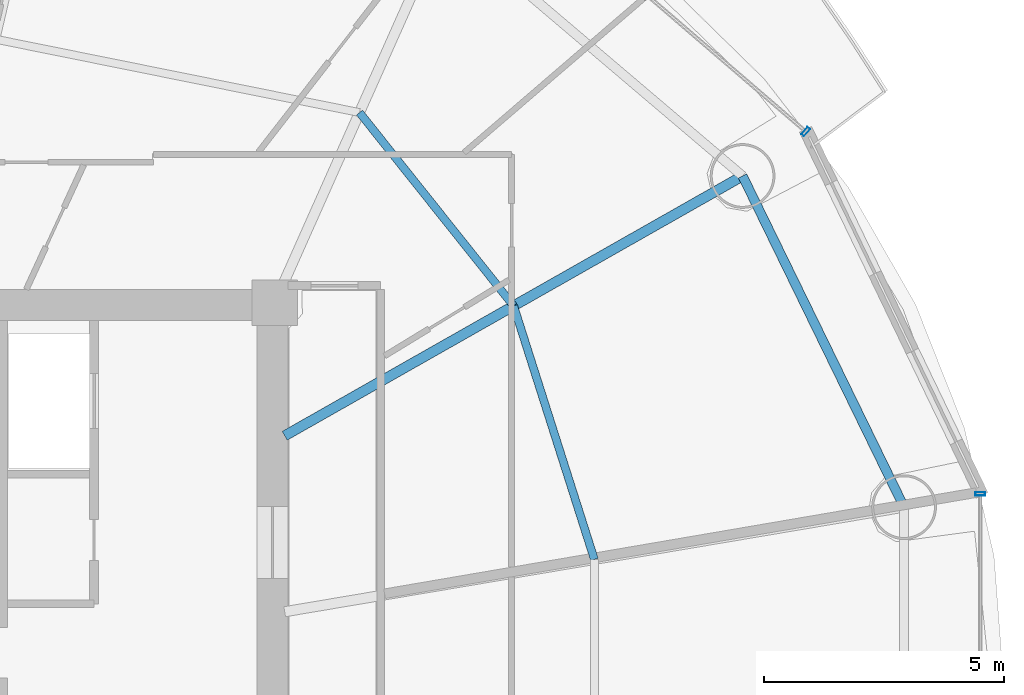
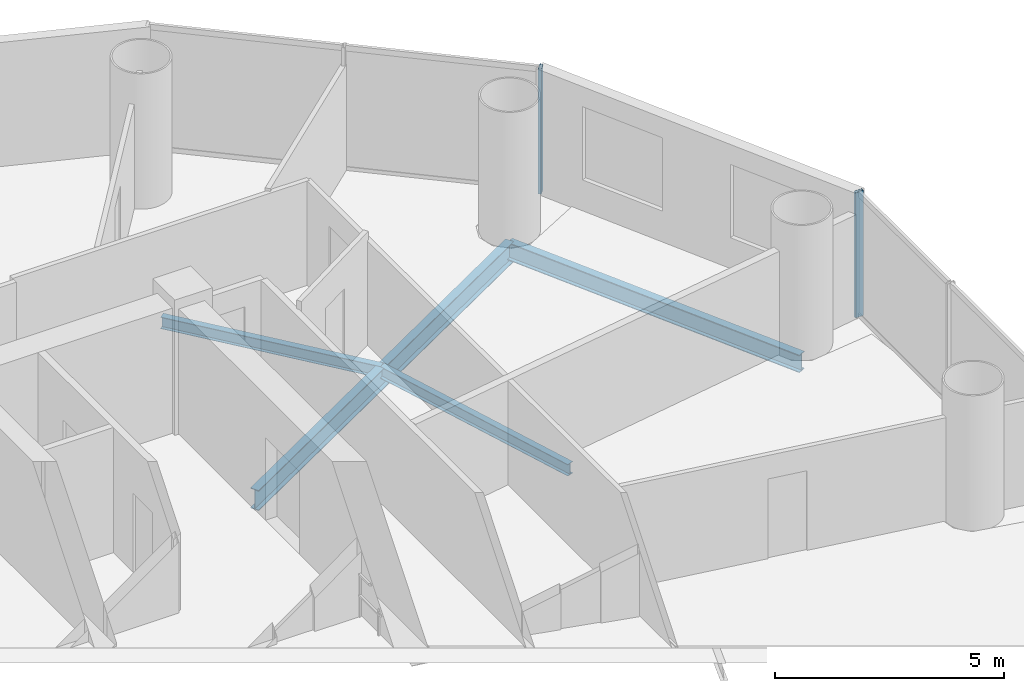
# One storey, part 13 of 26: 4 beams, 2 members, 2 elements without a shape of their own.
"""IFC4 building model written with IfcOpenShell, lengths in metres."""

from ifc_helpers import new_model, si_unit, direction, frame, origin, origin_2d, place, context, subcontext, project, spatial, hollow_rectangle, i_section, extrude, source, transform, mapped, material, material_profile, profile_set, type_object, element, aggregate, save


model = new_model("IFC4")

# Units and contexts
model_context = context("Model", 3, precision=1e-05, world=origin(), true_north=direction((-0.2419218956, 0.970295726276)))
body_context = subcontext(model_context, "Body", "Model", "MODEL_VIEW")
ifc_project = project(units=[si_unit("LENGTHUNIT", "METRE"), si_unit("AREAUNIT", "SQUARE_METRE"), si_unit("VOLUMEUNIT", "CUBIC_METRE"), si_unit("PLANEANGLEUNIT", "RADIAN"), si_unit("MASSUNIT", "GRAM", prefix="KILO")], contexts=[model_context])

# Site, building, storey
site_placement = place(None, origin())
site = spatial("IfcSite", under=ifc_project, at=site_placement, CompositionType="ELEMENT")
building_placement = place(site_placement, origin())
building = spatial("IfcBuilding", under=site, at=building_placement, Name="Cobrevalo Terracotta Tower", CompositionType="ELEMENT")
storey_placement = place(building_placement, frame((0.0, 0.0, 135.39990234375)))
storey = spatial("IfcBuildingStorey", under=building, at=storey_placement, Name="L35", CompositionType="ELEMENT", Elevation=135.39990234375)

# Beams
ifc_material_1 = material(Name="Steel S355", Category="steel")
ifc_material_profile_1 = material_profile(ifc_material_1, i_section(OverallWidth=0.2109375, OverallDepth=0.5390625, WebThickness=0.01171875, FlangeThickness=0.018798828125, at=origin_2d()), Name="W 530x109")
ifc_profile_set_1 = profile_set([ifc_material_profile_1], Name="Steel S355")
beam_type_1 = type_object("IfcBeamType", Name="Structural Beam W 530x109 (Steel S355)", PredefinedType="BEAM", material=ifc_profile_set_1)
beam_1_placement = place(storey_placement, frame((56.749755859375, 37.439208984375, -0.539306640625), z_axis=(-0.869734177783, -0.493520475762, 0.0), x_axis=(0.493520475762, -0.869734177783, 0.0)))
element("IfcBeam", 1, at=beam_1_placement, inside=storey, type_object=beam_type_1, Name="L35 radial floor girder 02", PredefinedType="BEAM", context=body_context, shape_type="SweptSolid", body=[
    extrude(i_section(OverallWidth=0.2109375, OverallDepth=0.5390625, WebThickness=0.01171875, FlangeThickness=0.018798828125, at=origin_2d()), origin(), (0.0, 0.0, 1.0), 10.974365234375),
])
ifc_material_profile_2 = material_profile(ifc_material_1, i_section(OverallWidth=0.1650390625, OverallDepth=0.31005859375, WebThickness=0.005859375, FlangeThickness=0.009765625, at=origin_2d()), Name="W 310x38.7")
ifc_profile_set_2 = profile_set([ifc_material_profile_2], Name="Steel S355")
beam_type_2 = type_object("IfcBeamType", Name="Structural Joist W 310x38.7 (Steel S355)", PredefinedType="JOIST", material=ifc_profile_set_2)
beam_2_placement = place(storey_placement, frame((53.660888671875, 29.445556640625, -0.4248046875), z_axis=(-0.303497928386, 0.952832098255, 0.0), x_axis=(-0.952832098255, -0.303497928386, 0.0)))
element("IfcBeam", 2, at=beam_2_placement, inside=storey, type_object=beam_type_2, Name="L35 circumferential secondary floor joist 01", PredefinedType="JOIST", context=body_context, shape_type="SweptSolid", body=[
    extrude(i_section(OverallWidth=0.1650390625, OverallDepth=0.31005859375, WebThickness=0.005859375, FlangeThickness=0.009765625, at=origin_2d()), origin(), (0.0, 0.0, 1.0), 5.54736328125),
])
beam_3_placement = place(storey_placement, frame((51.977294921875, 34.731201171875, -0.4248046875), z_axis=(-0.62340602772, 0.781898282773, 0.0), x_axis=(-0.781898282773, -0.62340602772, 0.0)))
element("IfcBeam", 3, at=beam_3_placement, inside=storey, type_object=beam_type_2, Name="L35 circumferential secondary floor joist 02", PredefinedType="JOIST", context=body_context, shape_type="SweptSolid", body=[
    extrude(i_section(OverallWidth=0.1650390625, OverallDepth=0.31005859375, WebThickness=0.005859375, FlangeThickness=0.009765625, at=origin_2d()), origin(), (0.0, 0.0, 1.0), 5.154052734375),
])
ifc_material_profile_3 = material_profile(ifc_material_1, i_section(OverallWidth=0.194091796875, OverallDepth=0.468994140625, WebThickness=0.011474609375, FlangeThickness=0.0205078125, at=origin_2d()), Name="W 460x106")
ifc_profile_set_3 = profile_set([ifc_material_profile_3], Name="Steel S355")
beam_type_3 = type_object("IfcBeamType", Name="Structural Spandrel W 460x106 (Steel S355)", PredefinedType="SPANDREL", material=ifc_profile_set_3)
beam_4_placement = place(storey_placement, frame((60.11669921875, 30.535888671875, -0.50439453125), z_axis=(-0.438367894028, 0.89879563277, 0.0), x_axis=(-0.89879563277, -0.438367894028, 0.0)))
element("IfcBeam", 4, at=beam_4_placement, inside=storey, type_object=beam_type_3, Name="L35 perimeter ring spandrel 01", PredefinedType="SPANDREL", context=body_context, shape_type="SweptSolid", body=[
    extrude(i_section(OverallWidth=0.194091796875, OverallDepth=0.468994140625, WebThickness=0.011474609375, FlangeThickness=0.0205078125, at=origin_2d()), origin(), (0.0, 0.0, 1.0), 7.6806640625),
])

# Curtain wall, member
ifc_material_2 = material(Name="Anodized aluminium", Category="aluminium")
curtain_wall_type = type_object("IfcCurtainWallType", Name="Mid-tower high-wind unitised curtain wall CW-U2", PredefinedType="NOTDEFINED", material=ifc_material_2)
curtain_wall_1_placement = place(storey_placement, origin())
curtain_wall_1 = element("IfcCurtainWall", 5, at=curtain_wall_1_placement, inside=storey, type_object=curtain_wall_type, Name="L35 curtain wall CW-L35-S02", PredefinedType="NOTDEFINED")
ifc_material_profile_4 = material_profile(ifc_material_2, hollow_rectangle(XDim=0.074951171875, YDim=0.199951171875, WallThickness=0.0048828125, at=origin_2d()), Name="CWM 75x200")
ifc_profile_set_4 = profile_set([ifc_material_profile_4], Name="Anodized aluminium")
member_type = type_object("IfcMemberType", Name="Lower/mid tower unitised mullion 75x200", PredefinedType="MULLION", material=ifc_profile_set_4)
shared_shape = source(origin(), body_context, "Body", "SweptSolid", [
    extrude(hollow_rectangle(XDim=0.074951171875, YDim=0.199951171875, WallThickness=0.0048828125, at=origin_2d()), origin(), (0.0, 0.0, 1.0), 3.330078125),
])
member_1_placement = place(storey_placement, frame((58.066162109375, 38.365234375, 0.0), z_axis=(0.0, 0.0, 1.0), x_axis=(-0.758441546142, 0.65174106905, 0.0)))
member_1 = element("IfcMember", 6, at=member_1_placement, type_object=member_type, Name="CW-L35-S02 vertical mullion 01", PredefinedType="MULLION", context=body_context, shape_type="MappedRepresentation", body=[
    mapped(shared_shape, transform((0.0, 0.0, 0.0), scale=1.0)),
])
aggregate(curtain_wall_1, [member_1])

curtain_wall_2_placement = place(storey_placement, origin())
curtain_wall_2 = element("IfcCurtainWall", 7, at=curtain_wall_2_placement, inside=storey, type_object=curtain_wall_type, Name="L35 curtain wall CW-L35-S16", PredefinedType="NOTDEFINED")
member_2_placement = place(storey_placement, frame((61.70556640625, 30.81201171875, 0.0), z_axis=(0.0, 0.0, 1.0), x_axis=(0.0, 1.0, 0.0)))
member_2 = element("IfcMember", 8, at=member_2_placement, type_object=member_type, Name="CW-L35-S16 vertical mullion 03", PredefinedType="MULLION", context=body_context, shape_type="MappedRepresentation", body=[
    mapped(shared_shape, transform((0.0, 0.0, 0.0), scale=1.0)),
])
aggregate(curtain_wall_2, [member_2])

save(model, "model.ifc")
